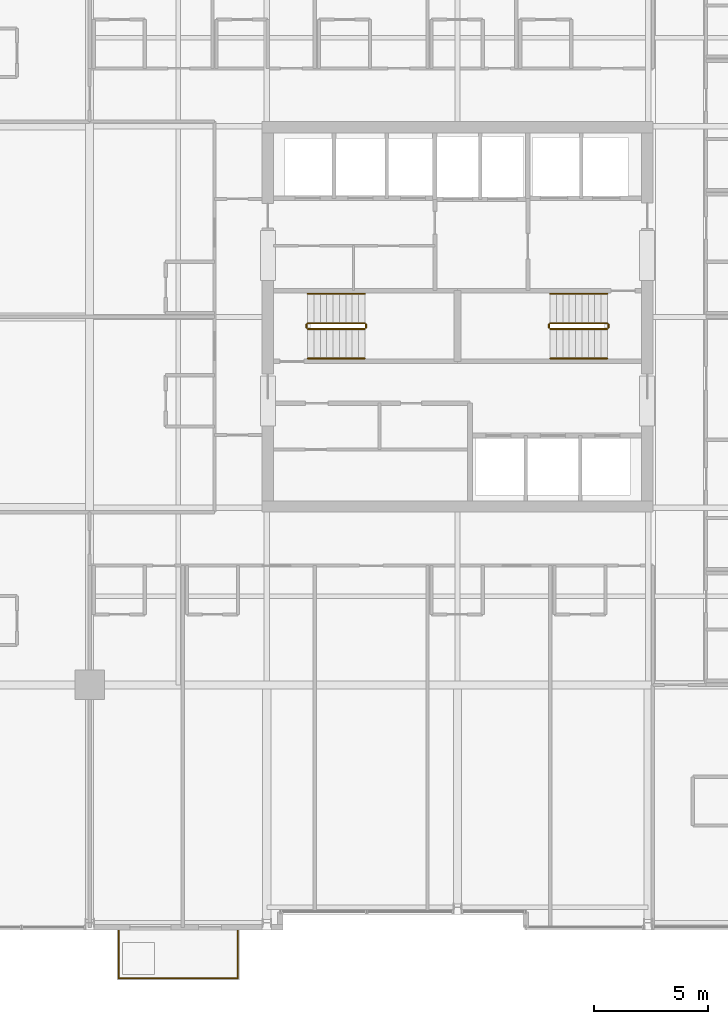
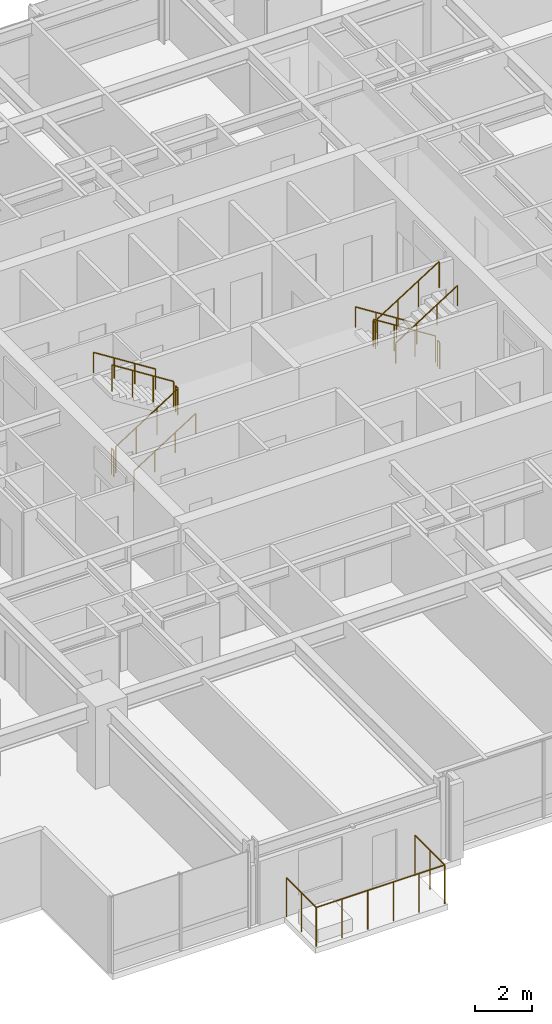
# One storey, part 31 of 32: 13 railings.
"""IFC4 building model written with IfcOpenShell, lengths in metres."""

import ifcopenshell
import ifcopenshell.guid

model = None  # the IFC model being written
_history = None  # IfcOwnerHistory: only IFC2X3 demands one
_inside = {}  # id of a spatial element -> (the spatial element, [elements in it])
_under = {}  # id of a project, library or spatial element -> (it, [spatial elements below it])
_declared = {}  # id of a project -> (the project, [libraries it declares])
_typed = {}  # id of a type object -> (the type object, [elements of that type])
_made_of = {}  # id of a material, layer set ... -> (it, [elements and type objects made of it])


def new_model(schema):
    """Start an empty IFC model of exactly this schema.

    Asked for "IFC4X3", IfcOpenShell would pick the latest addendum, in which some entities
    have other attributes; the version numbers below select the first issue.
    IFC2X3 requires an IfcOwnerHistory on every rooted entity: one is made here for all.
    """
    global model, _history
    if schema == "IFC4X3":
        model = ifcopenshell.file(schema_version=(4, 3, 0, 0))
    else:
        model = ifcopenshell.file(schema=schema)
    _inside.clear()
    _under.clear()
    _declared.clear()
    _typed.clear()
    _made_of.clear()
    _history = None
    if model.schema == "IFC2X3":
        org = make("IfcOrganization", Name="unknown")
        user = make(
            "IfcPersonAndOrganization",
            ThePerson=make("IfcPerson", FamilyName="unknown"),
            TheOrganization=org,
        )
        app = make(
            "IfcApplication",
            ApplicationDeveloper=org,
            Version="unknown",
            ApplicationFullName="unknown",
            ApplicationIdentifier="unknown",
        )
        _history = make(
            "IfcOwnerHistory",
            OwningUser=user,
            OwningApplication=app,
            ChangeAction="ADDED",
            CreationDate=0,
        )
    return model


def make(cls, **values):
    """One entity of the class cls with the attributes given. An attribute that is None is left unset."""
    return model.create_entity(
        cls, **{name: value for name, value in values.items() if value is not None}
    )


def rooted(cls, **values):
    """An entity with a GlobalId (a new one), such as an element, a storey or a relation."""
    return make(cls, GlobalId=ifcopenshell.guid.new(), OwnerHistory=_history, **values)


def si_unit(unit_type, name, prefix=None):
    """IfcSIUnit, for example si_unit("LENGTHUNIT", "METRE", prefix="MILLI")."""
    return make("IfcSIUnit", UnitType=unit_type, Prefix=prefix, Name=name)


def assignment(units):
    """IfcUnitAssignment: the units of a project."""
    return None if units is None else make("IfcUnitAssignment", Units=units)


def point(xyz):
    """IfcCartesianPoint."""
    return None if xyz is None else make("IfcCartesianPoint", Coordinates=xyz)


def direction(xyz):
    """IfcDirection."""
    return None if xyz is None else make("IfcDirection", DirectionRatios=xyz)


def frame(location, z_axis=None, x_axis=None):
    """IfcAxis2Placement3D, a coordinate frame: its origin and axes. An axis left out is left unset."""
    return make(
        "IfcAxis2Placement3D",
        Location=point(location),
        Axis=direction(z_axis),
        RefDirection=direction(x_axis),
    )


def frame_2d(location, x_axis=None):
    """IfcAxis2Placement2D, a coordinate frame in the plane: its origin and x axis."""
    return make(
        "IfcAxis2Placement2D", Location=point(location), RefDirection=direction(x_axis)
    )


def origin():
    """The frame at (0, 0, 0) with its axes left unset."""
    return frame((0.0, 0.0, 0.0))


def origin_2d():
    """The frame at (0, 0) in the plane with its x axis left unset."""
    return frame_2d((0.0, 0.0))


def place(relative_to, where):
    """IfcLocalPlacement: puts the frame where relative to a parent placement (None: the world)."""
    return make(
        "IfcLocalPlacement", PlacementRelTo=relative_to, RelativePlacement=where
    )


def context(
    kind, dimensions, precision=None, world=None, true_north=None, identifier=None
):
    """IfcGeometricRepresentationContext, for example the 3D "Model" context."""
    return make(
        "IfcGeometricRepresentationContext",
        ContextIdentifier=identifier,
        ContextType=kind,
        CoordinateSpaceDimension=dimensions,
        Precision=precision,
        WorldCoordinateSystem=world,
        TrueNorth=true_north,
    )


def subcontext(parent, identifier, kind, view, scale=None):
    """IfcGeometricRepresentationSubContext, for example "Body" below "Model"."""
    return make(
        "IfcGeometricRepresentationSubContext",
        ContextIdentifier=identifier,
        ContextType=kind,
        ParentContext=parent,
        TargetScale=scale,
        TargetView=view,
    )


def project(units=None, contexts=None):
    """IfcProject with its units and contexts."""
    return rooted(
        "IfcProject",
        Name="project",
        RepresentationContexts=contexts,
        UnitsInContext=assignment(units),
    )


def spatial(cls, under=None, at=None, **own):
    """A site, building, storey or space (cls), placed at a placement, below another one or the project."""
    s = rooted(cls, ObjectPlacement=at, **own)
    if under is not None:
        _under.setdefault(under.id(), (under, []))[1].append(s)
    return s


def profile(cls, at=None, kind="AREA", **sizes):
    """A parametric profile (cls). Its sizes go by their IFC names, for example OverallWidth=200.0."""
    return make(cls, ProfileType=kind, Position=at, **sizes)


def circle(**sizes):
    """IfcCircleProfileDef."""
    return profile("IfcCircleProfileDef", **sizes)


def extrude(swept, where, along, depth):
    """IfcExtrudedAreaSolid: the profile swept, set in the frame where, extruded along a direction by depth."""
    return make(
        "IfcExtrudedAreaSolid",
        SweptArea=swept,
        Position=where,
        ExtrudedDirection=direction(along),
        Depth=depth,
    )


def shape(context_of_items, identifier, shape_type, items):
    """IfcShapeRepresentation: the items that make up one representation, for example the "Body"."""
    return make(
        "IfcShapeRepresentation",
        ContextOfItems=context_of_items,
        RepresentationIdentifier=identifier,
        RepresentationType=shape_type,
        Items=items,
    )


def material(Name=None, Category=None):
    """IfcMaterial."""
    return make("IfcMaterial", Name=Name, Category=Category)


def made_of(thing, what):
    """Note that an element or type object is made of a material, layer set ...; save() writes the relation."""
    if what is not None:
        _made_of.setdefault(what.id(), (what, []))[1].append(thing)
    return thing


def type_object(cls, material=None, **own):
    """A type object (cls), such as IfcWallType, which elements share."""
    return made_of(rooted(cls, **own), material)


def element(
    cls,
    number,
    at=None,
    inside=None,
    cuts=None,
    type_object=None,
    material=None,
    context=None,
    identifier="Body",
    shape_type=None,
    held_by="IfcProductDefinitionShape",
    body=None,
    shapes=None,
    **own,
):
    """One element of the class cls, such as IfcWall. Its Tag is "e" and its number.

    at: its placement. inside: the storey or other place that contains it. cuts: it is an
    opening in that element (IfcRelVoidsElement). A single representation is given by context,
    identifier, shape_type and body (its items); several are given by shapes. held_by: the class
    of the entity that holds the representations. save() writes the other relations.
    """
    e = rooted(cls, Tag="e%d" % number, ObjectPlacement=at, **own)
    if body is not None:
        shapes = [shape(context, identifier, shape_type, body)]
    if shapes is not None:
        e.Representation = make(held_by, Representations=shapes)
    if inside is not None:
        _inside.setdefault(inside.id(), (inside, []))[1].append(e)
    if cuts is not None:
        rooted(
            "IfcRelVoidsElement", RelatingBuildingElement=cuts, RelatedOpeningElement=e
        )
    if type_object is not None:
        _typed.setdefault(type_object.id(), (type_object, []))[1].append(e)
    return made_of(e, material)


def aggregate(whole, parts):
    """IfcRelAggregates: a whole, such as a stair, and the parts it consists of."""
    return rooted("IfcRelAggregates", RelatingObject=whole, RelatedObjects=parts)


def save(model, path):
    """Write the relations noted so far, then the file.

    IfcRelAggregates (storeys below a building ...), IfcRelContainedInSpatialStructure (elements
    in a storey), IfcRelDefinesByType, IfcRelAssociatesMaterial and IfcRelDeclares: one each for
    every whole, place, type object, material and project.
    """
    for whole, parts in _under.values():
        aggregate(whole, parts)
    for where, things in _inside.values():
        rooted(
            "IfcRelContainedInSpatialStructure",
            RelatedElements=things,
            RelatingStructure=where,
        )
    for kind, things in _typed.values():
        rooted("IfcRelDefinesByType", RelatedObjects=things, RelatingType=kind)
    for what, things in _made_of.values():
        rooted("IfcRelAssociatesMaterial", RelatedObjects=things, RelatingMaterial=what)
    for by, libraries in _declared.values():
        rooted("IfcRelDeclares", RelatingContext=by, RelatedDefinitions=libraries)
    model.write(path)


model = new_model("IFC4")

# Units and contexts
model_context = context("Model", 3, precision=1e-05, world=origin(), true_north=direction((0.0, 1.0)))
body_context = subcontext(model_context, "Body", "Model", "MODEL_VIEW")
ifc_project = project(units=[si_unit("LENGTHUNIT", "METRE"), si_unit("AREAUNIT", "SQUARE_METRE"), si_unit("VOLUMEUNIT", "CUBIC_METRE"), si_unit("PLANEANGLEUNIT", "RADIAN"), si_unit("MASSUNIT", "GRAM", prefix="KILO")], contexts=[model_context])

# Site, building, storey
site_placement = place(None, origin())
site = spatial("IfcSite", under=ifc_project, at=site_placement, CompositionType="ELEMENT")
building_placement = place(site_placement, origin())
building = spatial("IfcBuilding", under=site, at=building_placement, Name="Drelvath Grand Hotel", CompositionType="ELEMENT")
storey_placement = place(building_placement, frame((0.0, 0.0, 150.39990234375)))
storey = spatial("IfcBuildingStorey", under=building, at=storey_placement, Name="L38", CompositionType="ELEMENT", Elevation=150.39990234375)

# Railings
ifc_material_1 = material(Name="Painted Steel S275", Category="steel")
railing_type_1 = type_object("IfcRailingType", Name="Core Stair Wall Handrail 900", PredefinedType="HANDRAIL", material=ifc_material_1)
railing_1_placement = place(storey_placement, frame((-6.60009765625, 25.169921875, 0.177490234375)))
element("IfcRailing", 1, at=railing_1_placement, inside=storey, type_object=railing_type_1, Name="L38 ST-1 stair handrail 1", PredefinedType="HANDRAIL", context=body_context, shape_type="SweptSolid", body=[
    extrude(circle(Radius=0.02392578125, at=origin_2d()), frame((0.0, 0.0, 0.8759765625), z_axis=(0.84456994832, 0.0, 0.535445237532), x_axis=(0.0, 1.0, 0.0)), (0.0, 0.0, 1.0), 2.98388671875),
    extrude(circle(Radius=0.02099609375, at=origin_2d()), origin(), (0.0, 0.0, 1.0), 0.851806640625),
    extrude(circle(Radius=0.02099609375, at=origin_2d()), frame((0.840087890625, 0.0, 0.532470703125)), (0.0, 0.0, 1.0), 0.851806640625),
    extrude(circle(Radius=0.02099609375, at=origin_2d()), frame((1.679931640625, 0.0, 1.065185546875)), (0.0, 0.0, 1.0), 0.851806640625),
    extrude(circle(Radius=0.02099609375, at=origin_2d()), frame((2.52001953125, 0.0, 1.59765625)), (0.0, 0.0, 1.0), 0.851806640625),
])
railing_2_placement = place(storey_placement, frame((-4.080078125, 28.030029296875, 1.95263671875)))
element("IfcRailing", 2, at=railing_2_placement, inside=storey, type_object=railing_type_1, Name="L38 ST-1 stair handrail 2", PredefinedType="HANDRAIL", context=body_context, shape_type="SweptSolid", body=[
    extrude(circle(Radius=0.02392578125, at=origin_2d()), frame((0.0, 0.0, 0.8759765625), z_axis=(-0.84460694969, 0.0, 0.535386869969), x_axis=(0.0, -1.0, 0.0)), (0.0, 0.0, 1.0), 2.983642578125),
    extrude(circle(Radius=0.02099609375, at=origin_2d()), origin(), (0.0, 0.0, 1.0), 0.851806640625),
    extrude(circle(Radius=0.02099609375, at=origin_2d()), frame((-0.840087890625, 0.0, 0.532470703125)), (0.0, 0.0, 1.0), 0.851806640625),
    extrude(circle(Radius=0.02099609375, at=origin_2d()), frame((-1.679931640625, 0.0, 1.06494140625)), (0.0, 0.0, 1.0), 0.851806640625),
    extrude(circle(Radius=0.02099609375, at=origin_2d()), frame((-2.52001953125, 0.0, 1.597412109375)), (0.0, 0.0, 1.0), 0.851806640625),
])
railing_3_placement = place(storey_placement, frame((6.60009765625, 28.030029296875, 0.177490234375)))
element("IfcRailing", 3, at=railing_3_placement, inside=storey, type_object=railing_type_1, Name="L38 ST-2 stair handrail 1", PredefinedType="HANDRAIL", context=body_context, shape_type="SweptSolid", body=[
    extrude(circle(Radius=0.02392578125, at=origin_2d()), frame((0.0, 0.0, 0.8759765625), z_axis=(-0.84456994832, 0.0, 0.535445237532), x_axis=(0.0, -1.0, 0.0)), (0.0, 0.0, 1.0), 2.98388671875),
    extrude(circle(Radius=0.02099609375, at=origin_2d()), origin(), (0.0, 0.0, 1.0), 0.851806640625),
    extrude(circle(Radius=0.02099609375, at=origin_2d()), frame((-0.840087890625, 0.0, 0.532470703125)), (0.0, 0.0, 1.0), 0.851806640625),
    extrude(circle(Radius=0.02099609375, at=origin_2d()), frame((-1.679931640625, 0.0, 1.065185546875)), (0.0, 0.0, 1.0), 0.851806640625),
    extrude(circle(Radius=0.02099609375, at=origin_2d()), frame((-2.52001953125, 0.0, 1.59765625)), (0.0, 0.0, 1.0), 0.851806640625),
])
railing_4_placement = place(storey_placement, frame((4.080078125, 25.169921875, 1.95263671875)))
element("IfcRailing", 4, at=railing_4_placement, inside=storey, type_object=railing_type_1, Name="L38 ST-2 stair handrail 2", PredefinedType="HANDRAIL", context=body_context, shape_type="SweptSolid", body=[
    extrude(circle(Radius=0.02392578125, at=origin_2d()), frame((0.0, 0.0, 0.8759765625), z_axis=(0.84460694969, 0.0, 0.535386869969), x_axis=(0.0, 1.0, 0.0)), (0.0, 0.0, 1.0), 2.983642578125),
    extrude(circle(Radius=0.02099609375, at=origin_2d()), origin(), (0.0, 0.0, 1.0), 0.851806640625),
    extrude(circle(Radius=0.02099609375, at=origin_2d()), frame((0.840087890625, 0.0, 0.532470703125)), (0.0, 0.0, 1.0), 0.851806640625),
    extrude(circle(Radius=0.02099609375, at=origin_2d()), frame((1.679931640625, 0.0, 1.06494140625)), (0.0, 0.0, 1.0), 0.851806640625),
    extrude(circle(Radius=0.02099609375, at=origin_2d()), frame((2.52001953125, 0.0, 1.597412109375)), (0.0, 0.0, 1.0), 0.851806640625),
])
railing_type_2 = type_object("IfcRailingType", Name="Core Stair Well Guardrail 1100", PredefinedType="GUARDRAIL", material=ifc_material_1)
railing_5_placement = place(storey_placement, frame((-6.60009765625, 26.469970703125, 0.177490234375)))
element("IfcRailing", 5, at=railing_5_placement, inside=storey, type_object=railing_type_2, Name="L38 ST-1 stair guard 1", PredefinedType="GUARDRAIL", context=body_context, shape_type="SweptSolid", body=[
    extrude(circle(Radius=0.02392578125, at=origin_2d()), frame((0.0, 0.0, 1.1259765625), z_axis=(0.84456994832, 0.0, 0.535445237532), x_axis=(0.0, 1.0, 0.0)), (0.0, 0.0, 1.0), 2.98388671875),
    extrude(circle(Radius=0.02099609375, at=origin_2d()), origin(), (0.0, 0.0, 1.0), 1.101806640625),
    extrude(circle(Radius=0.02099609375, at=origin_2d()), frame((0.840087890625, 0.0, 0.532470703125)), (0.0, 0.0, 1.0), 1.101806640625),
    extrude(circle(Radius=0.02099609375, at=origin_2d()), frame((1.679931640625, 0.0, 1.065185546875)), (0.0, 0.0, 1.0), 1.101806640625),
    extrude(circle(Radius=0.02099609375, at=origin_2d()), frame((2.52001953125, 0.0, 1.59765625)), (0.0, 0.0, 1.0), 1.101806640625),
])
railing_6_placement = place(storey_placement, frame((-4.030029296875, 26.52001953125, 1.775146484375)))
element("IfcRailing", 6, at=railing_6_placement, inside=storey, type_object=railing_type_2, Name="L38 ST-1 stair guard 2", PredefinedType="GUARDRAIL", context=body_context, shape_type="SweptSolid", body=[
    extrude(circle(Radius=0.02392578125, at=origin_2d()), frame((0.0, 0.0, 1.1259765625), z_axis=(0.0, 1.0, 0.0), x_axis=(-1.0, 0.0, 0.0)), (0.0, 0.0, 1.0), 0.159912109375),
    extrude(circle(Radius=0.02099609375, at=origin_2d()), origin(), (0.0, 0.0, 1.0), 1.101806640625),
    extrude(circle(Radius=0.02099609375, at=origin_2d()), frame((0.0, 0.159912109375, 0.0)), (0.0, 0.0, 1.0), 1.101806640625),
])
railing_7_placement = place(storey_placement, frame((-4.080078125, 26.72998046875, 1.95263671875)))
element("IfcRailing", 7, at=railing_7_placement, inside=storey, type_object=railing_type_2, Name="L38 ST-1 stair guard 3", PredefinedType="GUARDRAIL", context=body_context, shape_type="SweptSolid", body=[
    extrude(circle(Radius=0.02392578125, at=origin_2d()), frame((0.0, 0.0, 1.1259765625), z_axis=(-0.84460694969, 0.0, 0.535386869969), x_axis=(0.0, -1.0, 0.0)), (0.0, 0.0, 1.0), 2.983642578125),
    extrude(circle(Radius=0.02099609375, at=origin_2d()), origin(), (0.0, 0.0, 1.0), 1.101806640625),
    extrude(circle(Radius=0.02099609375, at=origin_2d()), frame((-0.840087890625, 0.0, 0.532470703125)), (0.0, 0.0, 1.0), 1.101806640625),
    extrude(circle(Radius=0.02099609375, at=origin_2d()), frame((-1.679931640625, 0.0, 1.06494140625)), (0.0, 0.0, 1.0), 1.101806640625),
    extrude(circle(Radius=0.02099609375, at=origin_2d()), frame((-2.52001953125, 0.0, 1.597412109375)), (0.0, 0.0, 1.0), 1.101806640625),
])
railing_8_placement = place(storey_placement, frame((-6.64990234375, 26.52001953125, 0.0)))
element("IfcRailing", 8, at=railing_8_placement, inside=storey, type_object=railing_type_2, Name="L38 ST-1 stair guard 4", PredefinedType="GUARDRAIL", context=body_context, shape_type="SweptSolid", body=[
    extrude(circle(Radius=0.02392578125, at=origin_2d()), frame((0.0, 0.0, 1.1259765625), z_axis=(0.0, 1.0, 0.0), x_axis=(-1.0, 0.0, 0.0)), (0.0, 0.0, 1.0), 0.159912109375),
    extrude(circle(Radius=0.02099609375, at=origin_2d()), origin(), (0.0, 0.0, 1.0), 1.101806640625),
    extrude(circle(Radius=0.02099609375, at=origin_2d()), frame((0.0, 0.159912109375, 0.0)), (0.0, 0.0, 1.0), 1.101806640625),
])
railing_9_placement = place(storey_placement, frame((6.60009765625, 26.72998046875, 0.177490234375)))
element("IfcRailing", 9, at=railing_9_placement, inside=storey, type_object=railing_type_2, Name="L38 ST-2 stair guard 1", PredefinedType="GUARDRAIL", context=body_context, shape_type="SweptSolid", body=[
    extrude(circle(Radius=0.02392578125, at=origin_2d()), frame((0.0, 0.0, 1.1259765625), z_axis=(-0.84456994832, 0.0, 0.535445237532), x_axis=(0.0, -1.0, 0.0)), (0.0, 0.0, 1.0), 2.98388671875),
    extrude(circle(Radius=0.02099609375, at=origin_2d()), origin(), (0.0, 0.0, 1.0), 1.101806640625),
    extrude(circle(Radius=0.02099609375, at=origin_2d()), frame((-0.840087890625, 0.0, 0.532470703125)), (0.0, 0.0, 1.0), 1.101806640625),
    extrude(circle(Radius=0.02099609375, at=origin_2d()), frame((-1.679931640625, 0.0, 1.065185546875)), (0.0, 0.0, 1.0), 1.101806640625),
    extrude(circle(Radius=0.02099609375, at=origin_2d()), frame((-2.52001953125, 0.0, 1.59765625)), (0.0, 0.0, 1.0), 1.101806640625),
])
railing_10_placement = place(storey_placement, frame((4.030029296875, 26.679931640625, 1.775146484375)))
element("IfcRailing", 10, at=railing_10_placement, inside=storey, type_object=railing_type_2, Name="L38 ST-2 stair guard 2", PredefinedType="GUARDRAIL", context=body_context, shape_type="SweptSolid", body=[
    extrude(circle(Radius=0.02392578125, at=origin_2d()), frame((0.0, 0.0, 1.1259765625), z_axis=(0.0, -1.0, 0.0), x_axis=(1.0, 0.0, 0.0)), (0.0, 0.0, 1.0), 0.159912109375),
    extrude(circle(Radius=0.02099609375, at=origin_2d()), origin(), (0.0, 0.0, 1.0), 1.101806640625),
    extrude(circle(Radius=0.02099609375, at=origin_2d()), frame((0.0, -0.159912109375, 0.0)), (0.0, 0.0, 1.0), 1.101806640625),
])
railing_11_placement = place(storey_placement, frame((4.080078125, 26.469970703125, 1.95263671875)))
element("IfcRailing", 11, at=railing_11_placement, inside=storey, type_object=railing_type_2, Name="L38 ST-2 stair guard 3", PredefinedType="GUARDRAIL", context=body_context, shape_type="SweptSolid", body=[
    extrude(circle(Radius=0.02392578125, at=origin_2d()), frame((0.0, 0.0, 1.1259765625), z_axis=(0.84460694969, 0.0, 0.535386869969), x_axis=(0.0, 1.0, 0.0)), (0.0, 0.0, 1.0), 2.983642578125),
    extrude(circle(Radius=0.02099609375, at=origin_2d()), origin(), (0.0, 0.0, 1.0), 1.101806640625),
    extrude(circle(Radius=0.02099609375, at=origin_2d()), frame((0.840087890625, 0.0, 0.532470703125)), (0.0, 0.0, 1.0), 1.101806640625),
    extrude(circle(Radius=0.02099609375, at=origin_2d()), frame((1.679931640625, 0.0, 1.06494140625)), (0.0, 0.0, 1.0), 1.101806640625),
    extrude(circle(Radius=0.02099609375, at=origin_2d()), frame((2.52001953125, 0.0, 1.597412109375)), (0.0, 0.0, 1.0), 1.101806640625),
])
railing_12_placement = place(storey_placement, frame((6.64990234375, 26.679931640625, 0.0)))
element("IfcRailing", 12, at=railing_12_placement, inside=storey, type_object=railing_type_2, Name="L38 ST-2 stair guard 4", PredefinedType="GUARDRAIL", context=body_context, shape_type="SweptSolid", body=[
    extrude(circle(Radius=0.02392578125, at=origin_2d()), frame((0.0, 0.0, 1.1259765625), z_axis=(0.0, -1.0, 0.0), x_axis=(1.0, 0.0, 0.0)), (0.0, 0.0, 1.0), 0.159912109375),
    extrude(circle(Radius=0.02099609375, at=origin_2d()), origin(), (0.0, 0.0, 1.0), 1.101806640625),
    extrude(circle(Radius=0.02099609375, at=origin_2d()), frame((0.0, -0.159912109375, 0.0)), (0.0, 0.0, 1.0), 1.101806640625),
])
ifc_material_2 = material(Name="Anodised Aluminium and Laminated Glass Balustrade", Category="aluminium")
railing_type_3 = type_object("IfcRailingType", Name="Raised Planter Edge Balustrade 1700", PredefinedType="BALUSTRADE", material=ifc_material_2)
railing_13_placement = place(storey_placement, frame((-14.919921875, -0.02001953125, 0.0)))
element("IfcRailing", 13, at=railing_13_placement, inside=storey, type_object=railing_type_3, Name="L38 Tree Balcony Perimeter Balustrade 1", PredefinedType="BALUSTRADE", context=body_context, shape_type="SweptSolid", body=[
    extrude(circle(Radius=0.02392578125, at=origin_2d()), frame((0.0, 0.0, 1.67578125), z_axis=(0.0, -1.0, 0.0), x_axis=(1.0, 0.0, 0.0)), (0.0, 0.0, 1.0), 2.10009765625),
    extrude(circle(Radius=0.02392578125, at=origin_2d()), frame((0.0, -2.10009765625, 1.67578125), z_axis=(1.0, 0.0, 0.0), x_axis=(0.0, 1.0, 0.0)), (0.0, 0.0, 1.0), 5.239990234375),
    extrude(circle(Radius=0.02392578125, at=origin_2d()), frame((5.239990234375, -2.10009765625, 1.67578125), z_axis=(0.0, 1.0, 0.0), x_axis=(-1.0, 0.0, 0.0)), (0.0, 0.0, 1.0), 2.10009765625),
    extrude(circle(Radius=0.02099609375, at=origin_2d()), origin(), (0.0, 0.0, 1.0), 1.65185546875),
    extrude(circle(Radius=0.02099609375, at=origin_2d()), frame((0.0, -1.050048828125, 0.0)), (0.0, 0.0, 1.0), 1.65185546875),
    extrude(circle(Radius=0.02099609375, at=origin_2d()), frame((0.0, -2.10009765625, 0.0)), (0.0, 0.0, 1.0), 1.65185546875),
    extrude(circle(Radius=0.02099609375, at=origin_2d()), frame((1.048095703125, -2.10009765625, 0.0)), (0.0, 0.0, 1.0), 1.65185546875),
    extrude(circle(Radius=0.02099609375, at=origin_2d()), frame((2.095947265625, -2.10009765625, 0.0)), (0.0, 0.0, 1.0), 1.65185546875),
    extrude(circle(Radius=0.02099609375, at=origin_2d()), frame((3.14404296875, -2.10009765625, 0.0)), (0.0, 0.0, 1.0), 1.65185546875),
    extrude(circle(Radius=0.02099609375, at=origin_2d()), frame((4.19189453125, -2.10009765625, 0.0)), (0.0, 0.0, 1.0), 1.65185546875),
    extrude(circle(Radius=0.02099609375, at=origin_2d()), frame((5.239990234375, -2.10009765625, 0.0)), (0.0, 0.0, 1.0), 1.65185546875),
    extrude(circle(Radius=0.02099609375, at=origin_2d()), frame((5.239990234375, -1.050048828125, 0.0)), (0.0, 0.0, 1.0), 1.65185546875),
    extrude(circle(Radius=0.02099609375, at=origin_2d()), frame((5.239990234375, 0.0, 0.0)), (0.0, 0.0, 1.0), 1.65185546875),
])

save(model, "model.ifc")
